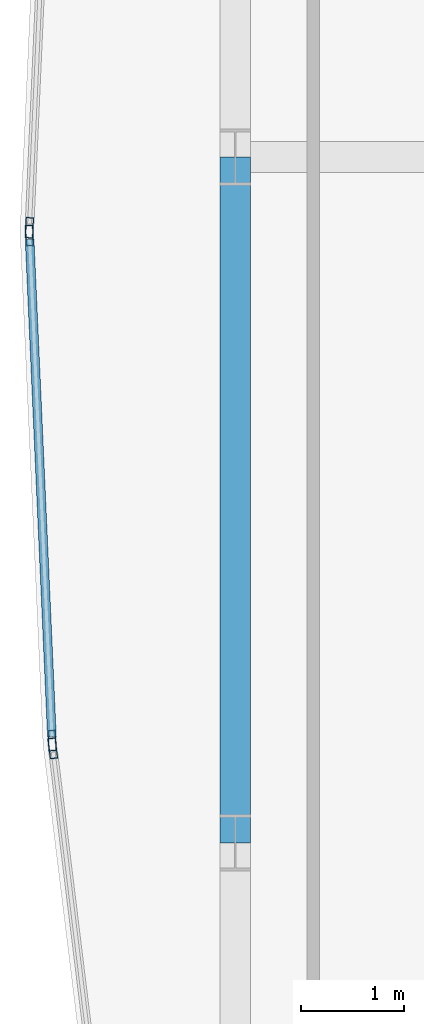
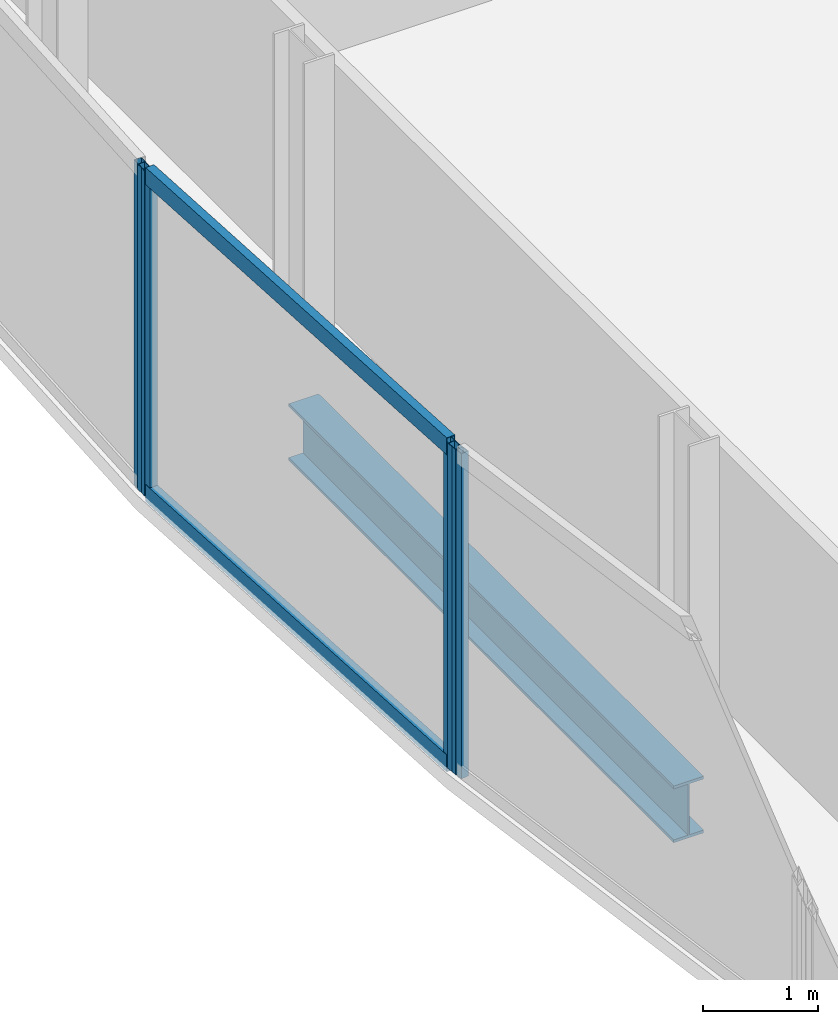
# One storey, part 10 of 31: 6 members, 1 beam, 3 elements without a shape of their own.
"""IFC4 building model written with IfcOpenShell, lengths in metres."""

import ifcopenshell
import ifcopenshell.guid

model = None  # the IFC model being written
_history = None  # IfcOwnerHistory: only IFC2X3 demands one
_inside = {}  # id of a spatial element -> (the spatial element, [elements in it])
_under = {}  # id of a project, library or spatial element -> (it, [spatial elements below it])
_declared = {}  # id of a project -> (the project, [libraries it declares])
_typed = {}  # id of a type object -> (the type object, [elements of that type])
_made_of = {}  # id of a material, layer set ... -> (it, [elements and type objects made of it])


def new_model(schema):
    """Start an empty IFC model of exactly this schema.

    Asked for "IFC4X3", IfcOpenShell would pick the latest addendum, in which some entities
    have other attributes; the version numbers below select the first issue.
    IFC2X3 requires an IfcOwnerHistory on every rooted entity: one is made here for all.
    """
    global model, _history
    if schema == "IFC4X3":
        model = ifcopenshell.file(schema_version=(4, 3, 0, 0))
    else:
        model = ifcopenshell.file(schema=schema)
    _inside.clear()
    _under.clear()
    _declared.clear()
    _typed.clear()
    _made_of.clear()
    _history = None
    if model.schema == "IFC2X3":
        org = make("IfcOrganization", Name="unknown")
        user = make(
            "IfcPersonAndOrganization",
            ThePerson=make("IfcPerson", FamilyName="unknown"),
            TheOrganization=org,
        )
        app = make(
            "IfcApplication",
            ApplicationDeveloper=org,
            Version="unknown",
            ApplicationFullName="unknown",
            ApplicationIdentifier="unknown",
        )
        _history = make(
            "IfcOwnerHistory",
            OwningUser=user,
            OwningApplication=app,
            ChangeAction="ADDED",
            CreationDate=0,
        )
    return model


def make(cls, **values):
    """One entity of the class cls with the attributes given. An attribute that is None is left unset."""
    return model.create_entity(
        cls, **{name: value for name, value in values.items() if value is not None}
    )


def rooted(cls, **values):
    """An entity with a GlobalId (a new one), such as an element, a storey or a relation."""
    return make(cls, GlobalId=ifcopenshell.guid.new(), OwnerHistory=_history, **values)


def si_unit(unit_type, name, prefix=None):
    """IfcSIUnit, for example si_unit("LENGTHUNIT", "METRE", prefix="MILLI")."""
    return make("IfcSIUnit", UnitType=unit_type, Prefix=prefix, Name=name)


def assignment(units):
    """IfcUnitAssignment: the units of a project."""
    return None if units is None else make("IfcUnitAssignment", Units=units)


def point(xyz):
    """IfcCartesianPoint."""
    return None if xyz is None else make("IfcCartesianPoint", Coordinates=xyz)


def direction(xyz):
    """IfcDirection."""
    return None if xyz is None else make("IfcDirection", DirectionRatios=xyz)


def frame(location, z_axis=None, x_axis=None):
    """IfcAxis2Placement3D, a coordinate frame: its origin and axes. An axis left out is left unset."""
    return make(
        "IfcAxis2Placement3D",
        Location=point(location),
        Axis=direction(z_axis),
        RefDirection=direction(x_axis),
    )


def frame_2d(location, x_axis=None):
    """IfcAxis2Placement2D, a coordinate frame in the plane: its origin and x axis."""
    return make(
        "IfcAxis2Placement2D", Location=point(location), RefDirection=direction(x_axis)
    )


def origin():
    """The frame at (0, 0, 0) with its axes left unset."""
    return frame((0.0, 0.0, 0.0))


def origin_2d():
    """The frame at (0, 0) in the plane with its x axis left unset."""
    return frame_2d((0.0, 0.0))


def place(relative_to, where):
    """IfcLocalPlacement: puts the frame where relative to a parent placement (None: the world)."""
    return make(
        "IfcLocalPlacement", PlacementRelTo=relative_to, RelativePlacement=where
    )


def context(
    kind, dimensions, precision=None, world=None, true_north=None, identifier=None
):
    """IfcGeometricRepresentationContext, for example the 3D "Model" context."""
    return make(
        "IfcGeometricRepresentationContext",
        ContextIdentifier=identifier,
        ContextType=kind,
        CoordinateSpaceDimension=dimensions,
        Precision=precision,
        WorldCoordinateSystem=world,
        TrueNorth=true_north,
    )


def subcontext(parent, identifier, kind, view, scale=None):
    """IfcGeometricRepresentationSubContext, for example "Body" below "Model"."""
    return make(
        "IfcGeometricRepresentationSubContext",
        ContextIdentifier=identifier,
        ContextType=kind,
        ParentContext=parent,
        TargetScale=scale,
        TargetView=view,
    )


def project(units=None, contexts=None):
    """IfcProject with its units and contexts."""
    return rooted(
        "IfcProject",
        Name="project",
        RepresentationContexts=contexts,
        UnitsInContext=assignment(units),
    )


def spatial(cls, under=None, at=None, **own):
    """A site, building, storey or space (cls), placed at a placement, below another one or the project."""
    s = rooted(cls, ObjectPlacement=at, **own)
    if under is not None:
        _under.setdefault(under.id(), (under, []))[1].append(s)
    return s


def profile(cls, at=None, kind="AREA", **sizes):
    """A parametric profile (cls). Its sizes go by their IFC names, for example OverallWidth=200.0."""
    return make(cls, ProfileType=kind, Position=at, **sizes)


def hollow_rectangle(**sizes):
    """IfcRectangleHollowProfileDef."""
    return profile("IfcRectangleHollowProfileDef", **sizes)


def i_section(**sizes):
    """IfcIShapeProfileDef."""
    return profile("IfcIShapeProfileDef", **sizes)


def extrude(swept, where, along, depth):
    """IfcExtrudedAreaSolid: the profile swept, set in the frame where, extruded along a direction by depth."""
    return make(
        "IfcExtrudedAreaSolid",
        SweptArea=swept,
        Position=where,
        ExtrudedDirection=direction(along),
        Depth=depth,
    )


def shape(context_of_items, identifier, shape_type, items):
    """IfcShapeRepresentation: the items that make up one representation, for example the "Body"."""
    return make(
        "IfcShapeRepresentation",
        ContextOfItems=context_of_items,
        RepresentationIdentifier=identifier,
        RepresentationType=shape_type,
        Items=items,
    )


def material(Name=None, Category=None):
    """IfcMaterial."""
    return make("IfcMaterial", Name=Name, Category=Category)


def material_profile(
    of_material, cross_section, Name=None, Category=None, Priority=None
):
    """IfcMaterialProfile: a cross section and its material."""
    return make(
        "IfcMaterialProfile",
        Name=Name,
        Material=of_material,
        Profile=cross_section,
        Priority=Priority,
        Category=Category,
    )


def profile_set(profiles, Name=None, composite=None):
    """IfcMaterialProfileSet."""
    return make(
        "IfcMaterialProfileSet",
        Name=Name,
        MaterialProfiles=profiles,
        CompositeProfile=composite,
    )


def made_of(thing, what):
    """Note that an element or type object is made of a material, layer set ...; save() writes the relation."""
    if what is not None:
        _made_of.setdefault(what.id(), (what, []))[1].append(thing)
    return thing


def type_object(cls, material=None, **own):
    """A type object (cls), such as IfcWallType, which elements share."""
    return made_of(rooted(cls, **own), material)


def element(
    cls,
    number,
    at=None,
    inside=None,
    cuts=None,
    type_object=None,
    material=None,
    context=None,
    identifier="Body",
    shape_type=None,
    held_by="IfcProductDefinitionShape",
    body=None,
    shapes=None,
    **own,
):
    """One element of the class cls, such as IfcWall. Its Tag is "e" and its number.

    at: its placement. inside: the storey or other place that contains it. cuts: it is an
    opening in that element (IfcRelVoidsElement). A single representation is given by context,
    identifier, shape_type and body (its items); several are given by shapes. held_by: the class
    of the entity that holds the representations. save() writes the other relations.
    """
    e = rooted(cls, Tag="e%d" % number, ObjectPlacement=at, **own)
    if body is not None:
        shapes = [shape(context, identifier, shape_type, body)]
    if shapes is not None:
        e.Representation = make(held_by, Representations=shapes)
    if inside is not None:
        _inside.setdefault(inside.id(), (inside, []))[1].append(e)
    if cuts is not None:
        rooted(
            "IfcRelVoidsElement", RelatingBuildingElement=cuts, RelatedOpeningElement=e
        )
    if type_object is not None:
        _typed.setdefault(type_object.id(), (type_object, []))[1].append(e)
    return made_of(e, material)


def aggregate(whole, parts):
    """IfcRelAggregates: a whole, such as a stair, and the parts it consists of."""
    return rooted("IfcRelAggregates", RelatingObject=whole, RelatedObjects=parts)


def save(model, path):
    """Write the relations noted so far, then the file.

    IfcRelAggregates (storeys below a building ...), IfcRelContainedInSpatialStructure (elements
    in a storey), IfcRelDefinesByType, IfcRelAssociatesMaterial and IfcRelDeclares: one each for
    every whole, place, type object, material and project.
    """
    for whole, parts in _under.values():
        aggregate(whole, parts)
    for where, things in _inside.values():
        rooted(
            "IfcRelContainedInSpatialStructure",
            RelatedElements=things,
            RelatingStructure=where,
        )
    for kind, things in _typed.values():
        rooted("IfcRelDefinesByType", RelatedObjects=things, RelatingType=kind)
    for what, things in _made_of.values():
        rooted("IfcRelAssociatesMaterial", RelatedObjects=things, RelatingMaterial=what)
    for by, libraries in _declared.values():
        rooted("IfcRelDeclares", RelatingContext=by, RelatedDefinitions=libraries)
    model.write(path)


model = new_model("IFC4")

# Units and contexts
model_context = context("Model", 3, precision=1e-05, world=origin(), true_north=direction((0.0, 1.0)))
body_context = subcontext(model_context, "Body", "Model", "MODEL_VIEW")
ifc_project = project(units=[si_unit("LENGTHUNIT", "METRE"), si_unit("AREAUNIT", "SQUARE_METRE"), si_unit("VOLUMEUNIT", "CUBIC_METRE"), si_unit("PLANEANGLEUNIT", "RADIAN"), si_unit("MASSUNIT", "GRAM", prefix="KILO")], contexts=[model_context])

# Site, building, storey
site_placement = place(None, origin())
site = spatial("IfcSite", under=ifc_project, at=site_placement, CompositionType="ELEMENT")
building_placement = place(site_placement, origin())
building = spatial("IfcBuilding", under=site, at=building_placement, Name="Khoronbel Lancet Exchange", CompositionType="ELEMENT")
storey_placement = place(building_placement, frame((0.0, 0.0, 121.800048828125)))
storey = spatial("IfcBuildingStorey", under=building, at=storey_placement, Name="L29", CompositionType="ELEMENT", Elevation=121.800048828125)

# Beam
ifc_material_1 = material(Name="Steel S355", Category="steel")
ifc_material_profile_1 = material_profile(ifc_material_1, i_section(OverallWidth=0.300048828125, OverallDepth=0.60009765625, WebThickness=0.015380859375, FlangeThickness=0.030029296875, at=origin_2d()), Name="HEB 600")
ifc_profile_set_1 = profile_set([ifc_material_profile_1], Name="Steel S355")
beam_type = type_object("IfcBeamType", Name="BM-BSP2", PredefinedType="SPANDREL", material=ifc_profile_set_1)
beam_placement = place(storey_placement, frame((3.27001953125, 31.425048828125, -0.4599609375), z_axis=(0.0, -1.0, 0.0), x_axis=(1.0, 0.0, 0.0)))
element("IfcBeam", 1, at=beam_placement, inside=storey, type_object=beam_type, Name="Level L29 perimeter spandrel beam SP19", PredefinedType="SPANDREL", context=body_context, shape_type="SweptSolid", body=[
    extrude(i_section(OverallWidth=0.300048828125, OverallDepth=0.60009765625, WebThickness=0.015380859375, FlangeThickness=0.030029296875, at=origin_2d()), origin(), (0.0, 0.0, 1.0), 6.675048828125),
])

# Curtain wall, member
ifc_material_2 = material(Name="Low-E Solar Control Insulating Glass", Category="glass")
curtain_wall_type = type_object("IfcCurtainWallType", Name="CW-4", PredefinedType="NOTDEFINED", material=ifc_material_2)
curtain_wall_1_placement = place(storey_placement, origin())
curtain_wall_1 = element("IfcCurtainWall", 2, at=curtain_wall_1_placement, inside=storey, type_object=curtain_wall_type, Name="Unitised curtain wall CW-L29-E05", PredefinedType="NOTDEFINED")
ifc_material_3 = material(Name="Bronze-Anodised Aluminium 6063-T6", Category="aluminium")
ifc_material_profile_2 = material_profile(ifc_material_3, hollow_rectangle(XDim=0.074951171875, YDim=0.199951171875, WallThickness=0.0048828125, at=origin_2d()), Name="ALU MULLION 75x200")
ifc_profile_set_2 = profile_set([ifc_material_profile_2], Name="Bronze-Anodised Aluminium 6063-T6")
member_type_1 = type_object("IfcMemberType", Name="MEM-CWM2", PredefinedType="MULLION", material=ifc_profile_set_2)
member_1_placement = place(storey_placement, frame((1.492919921875, 25.670166015625, 0.0), z_axis=(0.0, 0.0, 1.0), x_axis=(-0.992557199503, -0.121779332051, 0.0)))
member_1 = element("IfcMember", 3, at=member_1_placement, type_object=member_type_1, Name="CW4 mullion 2", PredefinedType="MULLION", context=body_context, shape_type="SweptSolid", body=[
    extrude(hollow_rectangle(XDim=0.074951171875, YDim=0.199951171875, WallThickness=0.0048828125, at=origin_2d()), origin(), (0.0, 0.0, 1.0), 3.43994140625),
])
aggregate(curtain_wall_1, [member_1])

# Curtain wall, members
curtain_wall_2_placement = place(storey_placement, origin())
curtain_wall_2 = element("IfcCurtainWall", 4, at=curtain_wall_2_placement, inside=storey, type_object=curtain_wall_type, Name="Unitised curtain wall CW-L29-E06", PredefinedType="NOTDEFINED")
member_2_placement = place(storey_placement, frame((1.486572265625, 25.744873046875, 0.0), z_axis=(0.0, 0.0, 1.0), x_axis=(-0.998993187014, -0.044862147736, 0.0)))
member_2 = element("IfcMember", 5, at=member_2_placement, type_object=member_type_1, Name="CW4 mullion 1", PredefinedType="MULLION", context=body_context, shape_type="SweptSolid", body=[
    extrude(hollow_rectangle(XDim=0.074951171875, YDim=0.199951171875, WallThickness=0.0048828125, at=origin_2d()), origin(), (0.0, 0.0, 1.0), 3.43994140625),
])
member_3_placement = place(storey_placement, frame((1.265869140625, 30.66259765625, 0.0), z_axis=(0.0, 0.0, 1.0), x_axis=(-0.998993187014, -0.044862147736, 0.0)))
member_3 = element("IfcMember", 6, at=member_3_placement, type_object=member_type_1, Name="CW4 mullion 2", PredefinedType="MULLION", context=body_context, shape_type="SweptSolid", body=[
    extrude(hollow_rectangle(XDim=0.074951171875, YDim=0.199951171875, WallThickness=0.0048828125, at=origin_2d()), origin(), (0.0, 0.0, 1.0), 3.43994140625),
])

# Curtain wall, member
curtain_wall_3_placement = place(storey_placement, origin())
curtain_wall_3 = element("IfcCurtainWall", 7, at=curtain_wall_3_placement, inside=storey, type_object=curtain_wall_type, Name="Unitised curtain wall CW-L29-E07", PredefinedType="NOTDEFINED")
member_4_placement = place(storey_placement, frame((1.265869140625, 30.737548828125, 0.0), z_axis=(0.0, 0.0, 1.0), x_axis=(-0.998993187014, 0.044862147736, 0.0)))
member_4 = element("IfcMember", 8, at=member_4_placement, type_object=member_type_1, Name="CW4 mullion 1", PredefinedType="MULLION", context=body_context, shape_type="SweptSolid", body=[
    extrude(hollow_rectangle(XDim=0.074951171875, YDim=0.199951171875, WallThickness=0.0048828125, at=origin_2d()), origin(), (0.0, 0.0, 1.0), 3.43994140625),
])
aggregate(curtain_wall_3, [member_4])

# Member
ifc_material_profile_3 = material_profile(ifc_material_3, hollow_rectangle(XDim=0.0849609375, YDim=0.179931640625, WallThickness=0.0048828125, at=origin_2d()), Name="ALU TRANSOM 85x180")
ifc_profile_set_3 = profile_set([ifc_material_profile_3], Name="Bronze-Anodised Aluminium 6063-T6")
member_type_2 = type_object("IfcMemberType", Name="MEM-CWT1", PredefinedType="USERDEFINED", material=ifc_profile_set_3)
member_5_placement = place(storey_placement, frame((1.48486328125, 25.782470703125, 0.04248046875), z_axis=(-0.044825077763, 0.99899485104, 0.0), x_axis=(-0.99899485104, -0.044825077763, 0.0)))
member_5 = element("IfcMember", 9, at=member_5_placement, type_object=member_type_2, Name="CW4 transom 1.1", ObjectType="TRANSOM", PredefinedType="USERDEFINED", context=body_context, shape_type="SweptSolid", body=[
    extrude(hollow_rectangle(XDim=0.0849609375, YDim=0.179931640625, WallThickness=0.0048828125, at=origin_2d()), origin(), (0.0, 0.0, 1.0), 4.847412109375),
])

member_6_placement = place(storey_placement, frame((1.48486328125, 25.782470703125, 3.3974609375), z_axis=(-0.044825077763, 0.99899485104, 0.0), x_axis=(-0.99899485104, -0.044825077763, 0.0)))
member_6 = element("IfcMember", 10, at=member_6_placement, type_object=member_type_2, Name="CW4 transom 1.2", ObjectType="TRANSOM", PredefinedType="USERDEFINED", context=body_context, shape_type="SweptSolid", body=[
    extrude(hollow_rectangle(XDim=0.0849609375, YDim=0.179931640625, WallThickness=0.0048828125, at=origin_2d()), origin(), (0.0, 0.0, 1.0), 4.847412109375),
])

aggregate(curtain_wall_2, [member_2, member_3, member_5, member_6])

save(model, "model.ifc")
